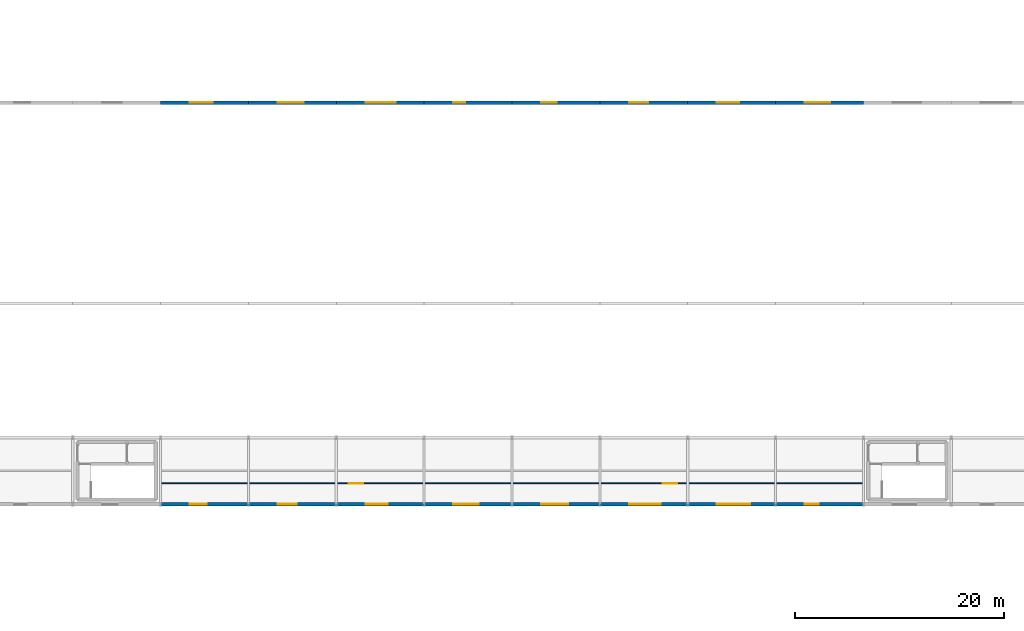
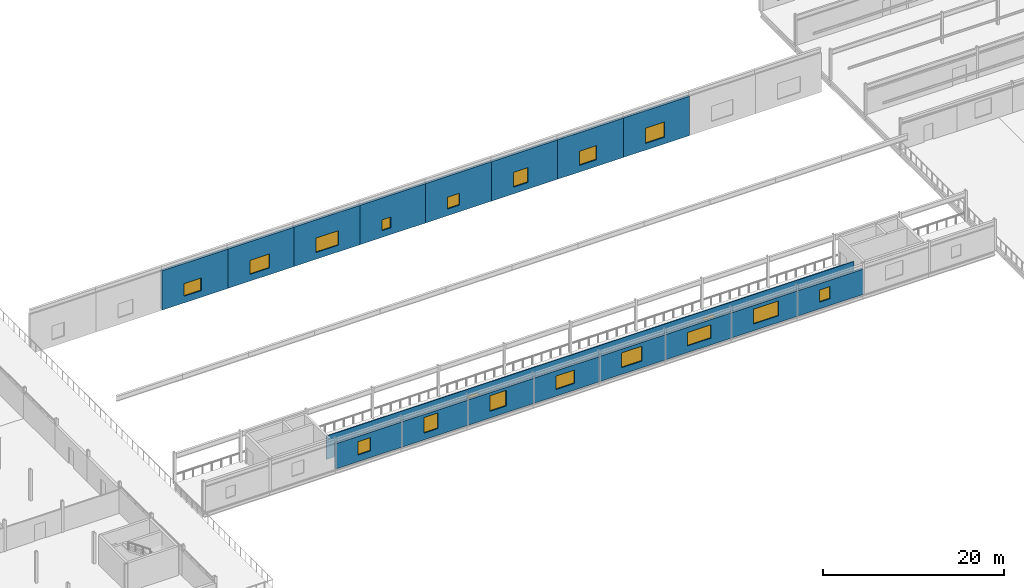
# One storey, part 32 of 39: 17 walls, 16 windows, 2 doors, 18 openings.
"""IFC4 building model written with IfcOpenShell, lengths in metres."""

from ifc_helpers import new_model, si_unit, direction, frame, frame_2d, origin, place, context, subcontext, project, spatial, rectangle, extrude, material, layer, layer_set, type_object, element, fill, save


model = new_model("IFC4")

# Units and contexts
model_context = context("Model", 3, precision=1e-05, world=origin(), true_north=direction((0.0, 1.0)))
body_context = subcontext(model_context, "Body", "Model", "MODEL_VIEW")
ifc_project = project(units=[si_unit("LENGTHUNIT", "METRE"), si_unit("AREAUNIT", "SQUARE_METRE"), si_unit("VOLUMEUNIT", "CUBIC_METRE"), si_unit("PLANEANGLEUNIT", "RADIAN"), si_unit("MASSUNIT", "GRAM", prefix="KILO")], contexts=[model_context])

# Site, building, storey
site_placement = place(None, origin())
site = spatial("IfcSite", under=ifc_project, at=site_placement, CompositionType="ELEMENT")
building_placement = place(site_placement, origin())
building = spatial("IfcBuilding", under=site, at=building_placement, Name="Kazenagashi Tramway Depot", CompositionType="ELEMENT")
storey_placement = place(building_placement, frame((0.0, 0.0, 11.1)))
storey = spatial("IfcBuildingStorey", under=building, at=storey_placement, Name="L03", CompositionType="ELEMENT", Elevation=11.1)

# Wall, opening, window
ifc_material_1 = material(Name="Clay Brick Masonry JIS R 1250 Class 1 (20 MPa)", Category="masonry")
ifc_layer_1 = layer(ifc_material_1, 0.32)
ifc_layer_set_1 = layer_set([ifc_layer_1], Name="Clay Brick Masonry JIS R 1250 Class 1 (20 MPa)")
wall_type_1 = type_object("IfcWallType", Name="W-BK3", PredefinedType="SOLIDWALL", material=ifc_layer_set_1)
wall_1_placement = place(storey_placement, frame((61.6, 16.5, 0.0), z_axis=(0.0, 0.0, 1.0), x_axis=(1.0, 0.0, 0.0)))
wall_1 = element("IfcWall", 1, at=wall_1_placement, inside=storey, type_object=wall_type_1, Name="Exterior Brick Wall W-BK3 EWALL-0082", PredefinedType="SOLIDWALL", context=body_context, shape_type="SweptSolid", body=[
    extrude(rectangle(XDim=8.4, YDim=0.32, at=frame_2d((4.2, 0.0))), origin(), (0.0, 0.0, 1.0), 3.4),
])
opening_1_placement = place(wall_1_placement, frame((2.8, 0.0, 0.9)))
opening_1 = element("IfcOpeningElement", 2, at=opening_1_placement, cuts=wall_1, Name="Opening WN-04", PredefinedType="OPENING", context=body_context, shape_type="SweptSolid", body=[
    extrude(rectangle(XDim=1.6, YDim=1.8, at=frame_2d((0.8, 0.9))), frame((0.0, 0.17, 0.0), z_axis=(0.0, -1.0, 0.0), x_axis=(1.0, 0.0, 0.0)), (0.0, 0.0, 1.0), 0.34),
])
ifc_material_2 = material(Name="Anodised Aluminium and Tempered Low-E Glass", Category="aluminium")
window_type_1 = type_object("IfcWindowType", Name="WN-04", PartitioningType="SINGLE_PANEL", PredefinedType="WINDOW", material=ifc_material_2)
window_1_placement = place(opening_1_placement, origin())
window_1 = element("IfcWindow", 3, at=window_1_placement, inside=storey, type_object=window_type_1, Name="Window WN-04 WIN-0052", OverallHeight=1.8, OverallWidth=1.6, PartitioningType="SINGLE_PANEL", PredefinedType="WINDOW", context=body_context, shape_type="SweptSolid", body=[
    extrude(rectangle(XDim=1.6, YDim=1.8, at=frame_2d((0.8, 0.9))), frame((0.0, 0.03, 0.0), z_axis=(0.0, -1.0, 0.0), x_axis=(1.0, 0.0, 0.0)), (0.0, 0.0, 1.0), 0.06),
])
fill(opening_1, window_1)

wall_2_placement = place(storey_placement, frame((70.0, 16.5, 0.0), z_axis=(0.0, 0.0, 1.0), x_axis=(1.0, 0.0, 0.0)))
wall_2 = element("IfcWall", 4, at=wall_2_placement, inside=storey, type_object=wall_type_1, Name="Exterior Brick Wall W-BK3 EWALL-0084", PredefinedType="SOLIDWALL", context=body_context, shape_type="SweptSolid", body=[
    extrude(rectangle(XDim=8.4, YDim=0.32, at=frame_2d((4.2, 0.0))), origin(), (0.0, 0.0, 1.0), 3.4),
])
opening_2_placement = place(wall_2_placement, frame((2.8, 0.0, 0.9)))
opening_2 = element("IfcOpeningElement", 5, at=opening_2_placement, cuts=wall_2, Name="Opening WN-06", PredefinedType="OPENING", context=body_context, shape_type="SweptSolid", body=[
    extrude(rectangle(XDim=1.8, YDim=2.1, at=frame_2d((0.9, 1.05))), frame((0.0, 0.17, 0.0), z_axis=(0.0, -1.0, 0.0), x_axis=(1.0, 0.0, 0.0)), (0.0, 0.0, 1.0), 0.34),
])
window_type_2 = type_object("IfcWindowType", Name="WN-06", PartitioningType="SINGLE_PANEL", PredefinedType="WINDOW", material=ifc_material_2)
window_2_placement = place(opening_2_placement, origin())
window_2 = element("IfcWindow", 6, at=window_2_placement, inside=storey, type_object=window_type_2, Name="Window WN-06 WIN-0054", OverallHeight=2.1, OverallWidth=1.8, PartitioningType="SINGLE_PANEL", PredefinedType="WINDOW", context=body_context, shape_type="SweptSolid", body=[
    extrude(rectangle(XDim=1.8, YDim=2.1, at=frame_2d((0.9, 1.05))), frame((0.0, 0.03, 0.0), z_axis=(0.0, -1.0, 0.0), x_axis=(1.0, 0.0, 0.0)), (0.0, 0.0, 1.0), 0.06),
])
fill(opening_2, window_2)

wall_3_placement = place(storey_placement, frame((78.4, 16.5, 0.0), z_axis=(0.0, 0.0, 1.0), x_axis=(1.0, 0.0, 0.0)))
wall_3 = element("IfcWall", 7, at=wall_3_placement, inside=storey, type_object=wall_type_1, Name="Exterior Brick Wall W-BK3 EWALL-0086", PredefinedType="SOLIDWALL", context=body_context, shape_type="SweptSolid", body=[
    extrude(rectangle(XDim=8.4, YDim=0.32, at=frame_2d((4.2, 0.0))), origin(), (0.0, 0.0, 1.0), 3.4),
])
opening_3_placement = place(wall_3_placement, frame((2.8, 0.0, 0.9)))
opening_3 = element("IfcOpeningElement", 8, at=opening_3_placement, cuts=wall_3, Name="Opening WN-08", PredefinedType="OPENING", context=body_context, shape_type="SweptSolid", body=[
    extrude(rectangle(XDim=2.1, YDim=2.1, at=frame_2d((1.05, 1.05))), frame((0.0, 0.17, 0.0), z_axis=(0.0, -1.0, 0.0), x_axis=(1.0, 0.0, 0.0)), (0.0, 0.0, 1.0), 0.34),
])
window_type_3 = type_object("IfcWindowType", Name="WN-08", PartitioningType="SINGLE_PANEL", PredefinedType="WINDOW", material=ifc_material_2)
window_3_placement = place(opening_3_placement, origin())
window_3 = element("IfcWindow", 9, at=window_3_placement, inside=storey, type_object=window_type_3, Name="Window WN-08 WIN-0056", OverallHeight=2.1, OverallWidth=2.1, PartitioningType="SINGLE_PANEL", PredefinedType="WINDOW", context=body_context, shape_type="SweptSolid", body=[
    extrude(rectangle(XDim=2.1, YDim=2.1, at=frame_2d((1.05, 1.05))), frame((0.0, 0.03, 0.0), z_axis=(0.0, -1.0, 0.0), x_axis=(1.0, 0.0, 0.0)), (0.0, 0.0, 1.0), 0.06),
])
fill(opening_3, window_3)

wall_4_placement = place(storey_placement, frame((86.8, 16.5, 0.0), z_axis=(0.0, 0.0, 1.0), x_axis=(1.0, 0.0, 0.0)))
wall_4 = element("IfcWall", 10, at=wall_4_placement, inside=storey, type_object=wall_type_1, Name="Exterior Brick Wall W-BK3 EWALL-0088", PredefinedType="SOLIDWALL", context=body_context, shape_type="SweptSolid", body=[
    extrude(rectangle(XDim=8.4, YDim=0.32, at=frame_2d((4.2, 0.0))), origin(), (0.0, 0.0, 1.0), 3.4),
])
opening_4_placement = place(wall_4_placement, frame((2.8, 0.0, 0.9)))
opening_4 = element("IfcOpeningElement", 11, at=opening_4_placement, cuts=wall_4, Name="Opening WN-09", PredefinedType="OPENING", context=body_context, shape_type="SweptSolid", body=[
    extrude(rectangle(XDim=2.4, YDim=1.8, at=frame_2d((1.2, 0.9))), frame((0.0, 0.17, 0.0), z_axis=(0.0, -1.0, 0.0), x_axis=(1.0, 0.0, 0.0)), (0.0, 0.0, 1.0), 0.34),
])
window_type_4 = type_object("IfcWindowType", Name="WN-09", PartitioningType="SINGLE_PANEL", PredefinedType="WINDOW", material=ifc_material_2)
window_4_placement = place(opening_4_placement, origin())
window_4 = element("IfcWindow", 12, at=window_4_placement, inside=storey, type_object=window_type_4, Name="Window WN-09 WIN-0057", OverallHeight=1.8, OverallWidth=2.4, PartitioningType="SINGLE_PANEL", PredefinedType="WINDOW", context=body_context, shape_type="SweptSolid", body=[
    extrude(rectangle(XDim=2.4, YDim=1.8, at=frame_2d((1.2, 0.9))), frame((0.0, 0.03, 0.0), z_axis=(0.0, -1.0, 0.0), x_axis=(1.0, 0.0, 0.0)), (0.0, 0.0, 1.0), 0.06),
])
fill(opening_4, window_4)

wall_5_placement = place(storey_placement, frame((95.2, 16.5, 0.0), z_axis=(0.0, 0.0, 1.0), x_axis=(1.0, 0.0, 0.0)))
wall_5 = element("IfcWall", 13, at=wall_5_placement, inside=storey, type_object=wall_type_1, Name="Exterior Brick Wall W-BK3 EWALL-0090", PredefinedType="SOLIDWALL", context=body_context, shape_type="SweptSolid", body=[
    extrude(rectangle(XDim=8.4, YDim=0.32, at=frame_2d((4.2, 0.0))), origin(), (0.0, 0.0, 1.0), 3.4),
])
opening_5_placement = place(wall_5_placement, frame((2.8, 0.0, 0.9)))
opening_5 = element("IfcOpeningElement", 14, at=opening_5_placement, cuts=wall_5, Name="Opening WN-11", PredefinedType="OPENING", context=body_context, shape_type="SweptSolid", body=[
    extrude(rectangle(XDim=2.6, YDim=2.0, at=frame_2d((1.3, 1.0))), frame((0.0, 0.17, 0.0), z_axis=(0.0, -1.0, 0.0), x_axis=(1.0, 0.0, 0.0)), (0.0, 0.0, 1.0), 0.34),
])
window_type_5 = type_object("IfcWindowType", Name="WN-11", PartitioningType="SINGLE_PANEL", PredefinedType="WINDOW", material=ifc_material_2)
window_5_placement = place(opening_5_placement, origin())
window_5 = element("IfcWindow", 15, at=window_5_placement, inside=storey, type_object=window_type_5, Name="Window WN-11 WIN-0059", OverallHeight=2.0, OverallWidth=2.6, PartitioningType="SINGLE_PANEL", PredefinedType="WINDOW", context=body_context, shape_type="SweptSolid", body=[
    extrude(rectangle(XDim=2.6, YDim=2.0, at=frame_2d((1.3, 1.0))), frame((0.0, 0.03, 0.0), z_axis=(0.0, -1.0, 0.0), x_axis=(1.0, 0.0, 0.0)), (0.0, 0.0, 1.0), 0.06),
])
fill(opening_5, window_5)

wall_6_placement = place(storey_placement, frame((103.6, 16.5, 0.0), z_axis=(0.0, 0.0, 1.0), x_axis=(1.0, 0.0, 0.0)))
wall_6 = element("IfcWall", 16, at=wall_6_placement, inside=storey, type_object=wall_type_1, Name="Exterior Brick Wall W-BK3 EWALL-0092", PredefinedType="SOLIDWALL", context=body_context, shape_type="SweptSolid", body=[
    extrude(rectangle(XDim=8.4, YDim=0.32, at=frame_2d((4.2, 0.0))), origin(), (0.0, 0.0, 1.0), 3.4),
])
opening_6_placement = place(wall_6_placement, frame((2.8, 0.0, 0.9)))
opening_6 = element("IfcOpeningElement", 17, at=opening_6_placement, cuts=wall_6, Name="Opening WN-13", PredefinedType="OPENING", context=body_context, shape_type="SweptSolid", body=[
    extrude(rectangle(XDim=3.0, YDim=1.8, at=frame_2d((1.5, 0.9))), frame((0.0, 0.17, 0.0), z_axis=(0.0, -1.0, 0.0), x_axis=(1.0, 0.0, 0.0)), (0.0, 0.0, 1.0), 0.34),
])
window_type_6 = type_object("IfcWindowType", Name="WN-13", PartitioningType="SINGLE_PANEL", PredefinedType="WINDOW", material=ifc_material_2)
window_6_placement = place(opening_6_placement, origin())
window_6 = element("IfcWindow", 18, at=window_6_placement, inside=storey, type_object=window_type_6, Name="Window WN-13 WIN-0061", OverallHeight=1.8, OverallWidth=3.0, PartitioningType="SINGLE_PANEL", PredefinedType="WINDOW", context=body_context, shape_type="SweptSolid", body=[
    extrude(rectangle(XDim=3.0, YDim=1.8, at=frame_2d((1.5, 0.9))), frame((0.0, 0.03, 0.0), z_axis=(0.0, -1.0, 0.0), x_axis=(1.0, 0.0, 0.0)), (0.0, 0.0, 1.0), 0.06),
])
fill(opening_6, window_6)

wall_7_placement = place(storey_placement, frame((112.0, 16.5, 0.0), z_axis=(0.0, 0.0, 1.0), x_axis=(1.0, 0.0, 0.0)))
wall_7 = element("IfcWall", 19, at=wall_7_placement, inside=storey, type_object=wall_type_1, Name="Exterior Brick Wall W-BK3 EWALL-0094", PredefinedType="SOLIDWALL", context=body_context, shape_type="SweptSolid", body=[
    extrude(rectangle(XDim=8.4, YDim=0.32, at=frame_2d((4.2, 0.0))), origin(), (0.0, 0.0, 1.0), 3.4),
])
opening_7_placement = place(wall_7_placement, frame((2.8, 0.0, 0.9)))
opening_7 = element("IfcOpeningElement", 20, at=opening_7_placement, cuts=wall_7, Name="Opening WN-15", PredefinedType="OPENING", context=body_context, shape_type="SweptSolid", body=[
    extrude(rectangle(XDim=3.2, YDim=2.0, at=frame_2d((1.6, 1.0))), frame((0.0, 0.17, 0.0), z_axis=(0.0, -1.0, 0.0), x_axis=(1.0, 0.0, 0.0)), (0.0, 0.0, 1.0), 0.34),
])
window_type_7 = type_object("IfcWindowType", Name="WN-15", PartitioningType="SINGLE_PANEL", PredefinedType="WINDOW", material=ifc_material_2)
window_7_placement = place(opening_7_placement, origin())
window_7 = element("IfcWindow", 21, at=window_7_placement, inside=storey, type_object=window_type_7, Name="Window WN-15 WIN-0063", OverallHeight=2.0, OverallWidth=3.2, PartitioningType="SINGLE_PANEL", PredefinedType="WINDOW", context=body_context, shape_type="SweptSolid", body=[
    extrude(rectangle(XDim=3.2, YDim=2.0, at=frame_2d((1.6, 1.0))), frame((0.0, 0.03, 0.0), z_axis=(0.0, -1.0, 0.0), x_axis=(1.0, 0.0, 0.0)), (0.0, 0.0, 1.0), 0.06),
])
fill(opening_7, window_7)

wall_8_placement = place(storey_placement, frame((120.4, 16.5, 0.0), z_axis=(0.0, 0.0, 1.0), x_axis=(1.0, 0.0, 0.0)))
wall_8 = element("IfcWall", 22, at=wall_8_placement, inside=storey, type_object=wall_type_1, Name="Exterior Brick Wall W-BK3 EWALL-0096", PredefinedType="SOLIDWALL", context=body_context, shape_type="SweptSolid", body=[
    extrude(rectangle(XDim=8.4, YDim=0.32, at=frame_2d((4.2, 0.0))), origin(), (0.0, 0.0, 1.0), 3.4),
])
opening_8_placement = place(wall_8_placement, frame((2.8, 0.0, 0.9)))
opening_8 = element("IfcOpeningElement", 23, at=opening_8_placement, cuts=wall_8, Name="Opening WN-17", PredefinedType="OPENING", context=body_context, shape_type="SweptSolid", body=[
    extrude(rectangle(XDim=1.35, YDim=1.65, at=frame_2d((0.675, 0.825))), frame((0.0, 0.17, 0.0), z_axis=(0.0, -1.0, 0.0), x_axis=(1.0, 0.0, 0.0)), (0.0, 0.0, 1.0), 0.34),
])
window_type_8 = type_object("IfcWindowType", Name="WN-17", PartitioningType="SINGLE_PANEL", PredefinedType="WINDOW", material=ifc_material_2)
window_8_placement = place(opening_8_placement, origin())
window_8 = element("IfcWindow", 24, at=window_8_placement, inside=storey, type_object=window_type_8, Name="Window WN-17 WIN-0065", OverallHeight=1.65, OverallWidth=1.35, PartitioningType="SINGLE_PANEL", PredefinedType="WINDOW", context=body_context, shape_type="SweptSolid", body=[
    extrude(rectangle(XDim=1.35, YDim=1.65, at=frame_2d((0.675, 0.825))), frame((0.0, 0.03, 0.0), z_axis=(0.0, -1.0, 0.0), x_axis=(1.0, 0.0, 0.0)), (0.0, 0.0, 1.0), 0.06),
])
fill(opening_8, window_8)

wall_9_placement = place(storey_placement, frame((61.6, 54.9, -1.9), z_axis=(0.0, 0.0, 1.0), x_axis=(1.0, 0.0, 0.0)))
wall_9 = element("IfcWall", 25, at=wall_9_placement, inside=storey, type_object=wall_type_1, Name="Exterior Brick Wall W-BK3 EWALL-0106", PredefinedType="SOLIDWALL", context=body_context, shape_type="SweptSolid", body=[
    extrude(rectangle(XDim=8.4, YDim=0.32, at=frame_2d((4.2, 0.0))), origin(), (0.0, 0.0, 1.0), 5.3),
])
opening_9_placement = place(wall_9_placement, frame((2.8, 0.0, 0.9)))
opening_9 = element("IfcOpeningElement", 26, at=opening_9_placement, cuts=wall_9, Name="Opening WN-27", PredefinedType="OPENING", context=body_context, shape_type="SweptSolid", body=[
    extrude(rectangle(XDim=2.2, YDim=1.7, at=frame_2d((1.1, 0.85))), frame((0.0, 0.17, 0.0), z_axis=(0.0, -1.0, 0.0), x_axis=(1.0, 0.0, 0.0)), (0.0, 0.0, 1.0), 0.34),
])
window_type_9 = type_object("IfcWindowType", Name="WN-27", PartitioningType="SINGLE_PANEL", PredefinedType="WINDOW", material=ifc_material_2)
window_9_placement = place(opening_9_placement, origin())
window_9 = element("IfcWindow", 27, at=window_9_placement, inside=storey, type_object=window_type_9, Name="Window WN-27 WIN-0075", OverallHeight=1.7, OverallWidth=2.2, PartitioningType="SINGLE_PANEL", PredefinedType="WINDOW", context=body_context, shape_type="SweptSolid", body=[
    extrude(rectangle(XDim=2.2, YDim=1.7, at=frame_2d((1.1, 0.85))), frame((0.0, 0.03, 0.0), z_axis=(0.0, -1.0, 0.0), x_axis=(1.0, 0.0, 0.0)), (0.0, 0.0, 1.0), 0.06),
])
fill(opening_9, window_9)

wall_10_placement = place(storey_placement, frame((70.0, 54.9, -1.9), z_axis=(0.0, 0.0, 1.0), x_axis=(1.0, 0.0, 0.0)))
wall_10 = element("IfcWall", 28, at=wall_10_placement, inside=storey, type_object=wall_type_1, Name="Exterior Brick Wall W-BK3 EWALL-0108", PredefinedType="SOLIDWALL", context=body_context, shape_type="SweptSolid", body=[
    extrude(rectangle(XDim=8.4, YDim=0.32, at=frame_2d((4.2, 0.0))), origin(), (0.0, 0.0, 1.0), 5.3),
])
opening_10_placement = place(wall_10_placement, frame((2.8, 0.0, 0.9)))
opening_10 = element("IfcOpeningElement", 29, at=opening_10_placement, cuts=wall_10, Name="Opening WN-29", PredefinedType="OPENING", context=body_context, shape_type="SweptSolid", body=[
    extrude(rectangle(XDim=2.5, YDim=1.9, at=frame_2d((1.25, 0.95))), frame((0.0, 0.17, 0.0), z_axis=(0.0, -1.0, 0.0), x_axis=(1.0, 0.0, 0.0)), (0.0, 0.0, 1.0), 0.34),
])
window_type_10 = type_object("IfcWindowType", Name="WN-29", PartitioningType="SINGLE_PANEL", PredefinedType="WINDOW", material=ifc_material_2)
window_10_placement = place(opening_10_placement, origin())
window_10 = element("IfcWindow", 30, at=window_10_placement, inside=storey, type_object=window_type_10, Name="Window WN-29 WIN-0077", OverallHeight=1.9, OverallWidth=2.5, PartitioningType="SINGLE_PANEL", PredefinedType="WINDOW", context=body_context, shape_type="SweptSolid", body=[
    extrude(rectangle(XDim=2.5, YDim=1.9, at=frame_2d((1.25, 0.95))), frame((0.0, 0.03, 0.0), z_axis=(0.0, -1.0, 0.0), x_axis=(1.0, 0.0, 0.0)), (0.0, 0.0, 1.0), 0.06),
])
fill(opening_10, window_10)

wall_11_placement = place(storey_placement, frame((78.4, 54.9, -1.9), z_axis=(0.0, 0.0, 1.0), x_axis=(1.0, 0.0, 0.0)))
wall_11 = element("IfcWall", 31, at=wall_11_placement, inside=storey, type_object=wall_type_1, Name="Exterior Brick Wall W-BK3 EWALL-0110", PredefinedType="SOLIDWALL", context=body_context, shape_type="SweptSolid", body=[
    extrude(rectangle(XDim=8.4, YDim=0.32, at=frame_2d((4.2, 0.0))), origin(), (0.0, 0.0, 1.0), 5.3),
])
opening_11_placement = place(wall_11_placement, frame((2.8, 0.0, 0.9)))
opening_11 = element("IfcOpeningElement", 32, at=opening_11_placement, cuts=wall_11, Name="Opening WN-31", PredefinedType="OPENING", context=body_context, shape_type="SweptSolid", body=[
    extrude(rectangle(XDim=2.9, YDim=1.95, at=frame_2d((1.45, 0.975))), frame((0.0, 0.17, 0.0), z_axis=(0.0, -1.0, 0.0), x_axis=(1.0, 0.0, 0.0)), (0.0, 0.0, 1.0), 0.34),
])
window_type_11 = type_object("IfcWindowType", Name="WN-31", PartitioningType="SINGLE_PANEL", PredefinedType="WINDOW", material=ifc_material_2)
window_11_placement = place(opening_11_placement, origin())
window_11 = element("IfcWindow", 33, at=window_11_placement, inside=storey, type_object=window_type_11, Name="Window WN-31 WIN-0079", OverallHeight=1.95, OverallWidth=2.9, PartitioningType="SINGLE_PANEL", PredefinedType="WINDOW", context=body_context, shape_type="SweptSolid", body=[
    extrude(rectangle(XDim=2.9, YDim=1.95, at=frame_2d((1.45, 0.975))), frame((0.0, 0.03, 0.0), z_axis=(0.0, -1.0, 0.0), x_axis=(1.0, 0.0, 0.0)), (0.0, 0.0, 1.0), 0.06),
])
fill(opening_11, window_11)

wall_12_placement = place(storey_placement, frame((86.8, 54.9, -1.9), z_axis=(0.0, 0.0, 1.0), x_axis=(1.0, 0.0, 0.0)))
wall_12 = element("IfcWall", 34, at=wall_12_placement, inside=storey, type_object=wall_type_1, Name="Exterior Brick Wall W-BK3 EWALL-0112", PredefinedType="SOLIDWALL", context=body_context, shape_type="SweptSolid", body=[
    extrude(rectangle(XDim=8.4, YDim=0.32, at=frame_2d((4.2, 0.0))), origin(), (0.0, 0.0, 1.0), 5.3),
])
opening_12_placement = place(wall_12_placement, frame((2.8, 0.0, 0.9)))
opening_12 = element("IfcOpeningElement", 35, at=opening_12_placement, cuts=wall_12, Name="Opening WN-33", PredefinedType="OPENING", context=body_context, shape_type="SweptSolid", body=[
    extrude(rectangle(XDim=1.15, YDim=1.45, at=frame_2d((0.575, 0.725))), frame((0.0, 0.17, 0.0), z_axis=(0.0, -1.0, 0.0), x_axis=(1.0, 0.0, 0.0)), (0.0, 0.0, 1.0), 0.34),
])
window_type_12 = type_object("IfcWindowType", Name="WN-33", PartitioningType="SINGLE_PANEL", PredefinedType="WINDOW", material=ifc_material_2)
window_12_placement = place(opening_12_placement, origin())
window_12 = element("IfcWindow", 36, at=window_12_placement, inside=storey, type_object=window_type_12, Name="Window WN-33 WIN-0081", OverallHeight=1.45, OverallWidth=1.15, PartitioningType="SINGLE_PANEL", PredefinedType="WINDOW", context=body_context, shape_type="SweptSolid", body=[
    extrude(rectangle(XDim=1.15, YDim=1.45, at=frame_2d((0.575, 0.725))), frame((0.0, 0.03, 0.0), z_axis=(0.0, -1.0, 0.0), x_axis=(1.0, 0.0, 0.0)), (0.0, 0.0, 1.0), 0.06),
])
fill(opening_12, window_12)

wall_13_placement = place(storey_placement, frame((95.2, 54.9, -1.9), z_axis=(0.0, 0.0, 1.0), x_axis=(1.0, 0.0, 0.0)))
wall_13 = element("IfcWall", 37, at=wall_13_placement, inside=storey, type_object=wall_type_1, Name="Exterior Brick Wall W-BK3 EWALL-0114", PredefinedType="SOLIDWALL", context=body_context, shape_type="SweptSolid", body=[
    extrude(rectangle(XDim=8.4, YDim=0.32, at=frame_2d((4.2, 0.0))), origin(), (0.0, 0.0, 1.0), 5.3),
])
opening_13_placement = place(wall_13_placement, frame((2.8, 0.0, 0.9)))
opening_13 = element("IfcOpeningElement", 38, at=opening_13_placement, cuts=wall_13, Name="Opening WN-35", PredefinedType="OPENING", context=body_context, shape_type="SweptSolid", body=[
    extrude(rectangle(XDim=1.5, YDim=1.6, at=frame_2d((0.75, 0.8))), frame((0.0, 0.17, 0.0), z_axis=(0.0, -1.0, 0.0), x_axis=(1.0, 0.0, 0.0)), (0.0, 0.0, 1.0), 0.34),
])
window_type_13 = type_object("IfcWindowType", Name="WN-35", PartitioningType="SINGLE_PANEL", PredefinedType="WINDOW", material=ifc_material_2)
window_13_placement = place(opening_13_placement, origin())
window_13 = element("IfcWindow", 39, at=window_13_placement, inside=storey, type_object=window_type_13, Name="Window WN-35 WIN-0083", OverallHeight=1.6, OverallWidth=1.5, PartitioningType="SINGLE_PANEL", PredefinedType="WINDOW", context=body_context, shape_type="SweptSolid", body=[
    extrude(rectangle(XDim=1.5, YDim=1.6, at=frame_2d((0.75, 0.8))), frame((0.0, 0.03, 0.0), z_axis=(0.0, -1.0, 0.0), x_axis=(1.0, 0.0, 0.0)), (0.0, 0.0, 1.0), 0.06),
])
fill(opening_13, window_13)

wall_14_placement = place(storey_placement, frame((103.6, 54.9, -1.9), z_axis=(0.0, 0.0, 1.0), x_axis=(1.0, 0.0, 0.0)))
wall_14 = element("IfcWall", 40, at=wall_14_placement, inside=storey, type_object=wall_type_1, Name="Exterior Brick Wall W-BK3 EWALL-0116", PredefinedType="SOLIDWALL", context=body_context, shape_type="SweptSolid", body=[
    extrude(rectangle(XDim=8.4, YDim=0.32, at=frame_2d((4.2, 0.0))), origin(), (0.0, 0.0, 1.0), 5.3),
])
opening_14_placement = place(wall_14_placement, frame((2.8, 0.0, 0.9)))
opening_14 = element("IfcOpeningElement", 41, at=opening_14_placement, cuts=wall_14, Name="Opening WN-37", PredefinedType="OPENING", context=body_context, shape_type="SweptSolid", body=[
    extrude(rectangle(XDim=1.85, YDim=2.0, at=frame_2d((0.925, 1.0))), frame((0.0, 0.17, 0.0), z_axis=(0.0, -1.0, 0.0), x_axis=(1.0, 0.0, 0.0)), (0.0, 0.0, 1.0), 0.34),
])
window_type_14 = type_object("IfcWindowType", Name="WN-37", PartitioningType="SINGLE_PANEL", PredefinedType="WINDOW", material=ifc_material_2)
window_14_placement = place(opening_14_placement, origin())
window_14 = element("IfcWindow", 42, at=window_14_placement, inside=storey, type_object=window_type_14, Name="Window WN-37 WIN-0085", OverallHeight=2.0, OverallWidth=1.85, PartitioningType="SINGLE_PANEL", PredefinedType="WINDOW", context=body_context, shape_type="SweptSolid", body=[
    extrude(rectangle(XDim=1.85, YDim=2.0, at=frame_2d((0.925, 1.0))), frame((0.0, 0.03, 0.0), z_axis=(0.0, -1.0, 0.0), x_axis=(1.0, 0.0, 0.0)), (0.0, 0.0, 1.0), 0.06),
])
fill(opening_14, window_14)

wall_15_placement = place(storey_placement, frame((112.0, 54.9, -1.9), z_axis=(0.0, 0.0, 1.0), x_axis=(1.0, 0.0, 0.0)))
wall_15 = element("IfcWall", 43, at=wall_15_placement, inside=storey, type_object=wall_type_1, Name="Exterior Brick Wall W-BK3 EWALL-0118", PredefinedType="SOLIDWALL", context=body_context, shape_type="SweptSolid", body=[
    extrude(rectangle(XDim=8.4, YDim=0.32, at=frame_2d((4.2, 0.0))), origin(), (0.0, 0.0, 1.0), 5.3),
])
opening_15_placement = place(wall_15_placement, frame((2.8, 0.0, 0.9)))
opening_15 = element("IfcOpeningElement", 44, at=opening_15_placement, cuts=wall_15, Name="Opening WN-39", PredefinedType="OPENING", context=body_context, shape_type="SweptSolid", body=[
    extrude(rectangle(XDim=2.15, YDim=1.9, at=frame_2d((1.075, 0.95))), frame((0.0, 0.17, 0.0), z_axis=(0.0, -1.0, 0.0), x_axis=(1.0, 0.0, 0.0)), (0.0, 0.0, 1.0), 0.34),
])
window_type_15 = type_object("IfcWindowType", Name="WN-39", PartitioningType="SINGLE_PANEL", PredefinedType="WINDOW", material=ifc_material_2)
window_15_placement = place(opening_15_placement, origin())
window_15 = element("IfcWindow", 45, at=window_15_placement, inside=storey, type_object=window_type_15, Name="Window WN-39 WIN-0087", OverallHeight=1.9, OverallWidth=2.15, PartitioningType="SINGLE_PANEL", PredefinedType="WINDOW", context=body_context, shape_type="SweptSolid", body=[
    extrude(rectangle(XDim=2.15, YDim=1.9, at=frame_2d((1.075, 0.95))), frame((0.0, 0.03, 0.0), z_axis=(0.0, -1.0, 0.0), x_axis=(1.0, 0.0, 0.0)), (0.0, 0.0, 1.0), 0.06),
])
fill(opening_15, window_15)

wall_16_placement = place(storey_placement, frame((120.4, 54.9, -1.9), z_axis=(0.0, 0.0, 1.0), x_axis=(1.0, 0.0, 0.0)))
wall_16 = element("IfcWall", 46, at=wall_16_placement, inside=storey, type_object=wall_type_1, Name="Exterior Brick Wall W-BK3 EWALL-0120", PredefinedType="SOLIDWALL", context=body_context, shape_type="SweptSolid", body=[
    extrude(rectangle(XDim=8.4, YDim=0.32, at=frame_2d((4.2, 0.0))), origin(), (0.0, 0.0, 1.0), 5.3),
])
opening_16_placement = place(wall_16_placement, frame((2.8, 0.0, 0.9)))
opening_16 = element("IfcOpeningElement", 47, at=opening_16_placement, cuts=wall_16, Name="Opening WN-41", PredefinedType="OPENING", context=body_context, shape_type="SweptSolid", body=[
    extrude(rectangle(XDim=2.45, YDim=2.05, at=frame_2d((1.225, 1.025))), frame((0.0, 0.17, 0.0), z_axis=(0.0, -1.0, 0.0), x_axis=(1.0, 0.0, 0.0)), (0.0, 0.0, 1.0), 0.34),
])
window_type_16 = type_object("IfcWindowType", Name="WN-41", PartitioningType="SINGLE_PANEL", PredefinedType="WINDOW", material=ifc_material_2)
window_16_placement = place(opening_16_placement, origin())
window_16 = element("IfcWindow", 48, at=window_16_placement, inside=storey, type_object=window_type_16, Name="Window WN-41 WIN-0089", OverallHeight=2.05, OverallWidth=2.45, PartitioningType="SINGLE_PANEL", PredefinedType="WINDOW", context=body_context, shape_type="SweptSolid", body=[
    extrude(rectangle(XDim=2.45, YDim=2.05, at=frame_2d((1.225, 1.025))), frame((0.0, 0.03, 0.0), z_axis=(0.0, -1.0, 0.0), x_axis=(1.0, 0.0, 0.0)), (0.0, 0.0, 1.0), 0.06),
])
fill(opening_16, window_16)

# Wall, openings, doors
ifc_material_3 = material(Name="Gypsum Plasterboard Partition", Category="gypsum")
ifc_layer_2 = layer(ifc_material_3, 0.1)
ifc_layer_set_2 = layer_set([ifc_layer_2], Name="Gypsum Plasterboard Partition")
wall_type_2 = type_object("IfcWallType", Name="W-PT3", PredefinedType="PARTITIONING", material=ifc_layer_set_2)
wall_17_placement = place(storey_placement, frame((61.6, 18.5, 0.0), z_axis=(0.0, 0.0, 1.0), x_axis=(1.0, 0.0, 0.0)))
wall_17 = element("IfcWall", 49, at=wall_17_placement, inside=storey, type_object=wall_type_2, Name="Interior Partition W-PT3 IWALL-0280", PredefinedType="PARTITIONING", context=body_context, shape_type="SweptSolid", body=[
    extrude(rectangle(XDim=67.2, YDim=0.1, at=frame_2d((33.6, 0.0))), origin(), (0.0, 0.0, 1.0), 3.15),
])
opening_17_placement = place(wall_17_placement, frame((18.0, 0.0, 0.0)))
opening_17 = element("IfcOpeningElement", 50, at=opening_17_placement, cuts=wall_17, Name="Opening D-190", PredefinedType="OPENING", context=body_context, shape_type="SweptSolid", body=[
    extrude(rectangle(XDim=1.4, YDim=2.2, at=frame_2d((0.7, 1.1))), frame((0.0, 0.06, 0.0), z_axis=(0.0, -1.0, 0.0), x_axis=(1.0, 0.0, 0.0)), (0.0, 0.0, 1.0), 0.12),
])
opening_18_placement = place(wall_17_placement, frame((48.0, 0.0, 0.0)))
opening_18 = element("IfcOpeningElement", 51, at=opening_18_placement, cuts=wall_17, Name="Opening D-191", PredefinedType="OPENING", context=body_context, shape_type="SweptSolid", body=[
    extrude(rectangle(XDim=1.4, YDim=2.2, at=frame_2d((0.7, 1.1))), frame((0.0, 0.06, 0.0), z_axis=(0.0, -1.0, 0.0), x_axis=(1.0, 0.0, 0.0)), (0.0, 0.0, 1.0), 0.12),
])
ifc_material_4 = material(Name="Powder-Coated Steel Door", Category="steel")
door_type = type_object("IfcDoorType", Name="DT-16", OperationType="NOTDEFINED", PredefinedType="DOOR", material=ifc_material_4)
door_1_placement = place(opening_17_placement, origin())
door_1 = element("IfcDoor", 52, at=door_1_placement, inside=storey, type_object=door_type, Name="Interior Door D-190", OperationType="DOUBLE_DOOR_SINGLE_SWING", OverallHeight=2.2, OverallWidth=1.4, PredefinedType="DOOR", context=body_context, shape_type="SweptSolid", body=[
    extrude(rectangle(XDim=1.4, YDim=2.2, at=frame_2d((0.7, 1.1))), frame((0.0, 0.025, 0.0), z_axis=(0.0, -1.0, 0.0), x_axis=(1.0, 0.0, 0.0)), (0.0, 0.0, 1.0), 0.05),
])
fill(opening_17, door_1)
door_2_placement = place(opening_18_placement, origin())
door_2 = element("IfcDoor", 53, at=door_2_placement, inside=storey, type_object=door_type, Name="Interior Door D-191", OperationType="DOUBLE_DOOR_SINGLE_SWING", OverallHeight=2.2, OverallWidth=1.4, PredefinedType="DOOR", context=body_context, shape_type="SweptSolid", body=[
    extrude(rectangle(XDim=1.4, YDim=2.2, at=frame_2d((0.7, 1.1))), frame((0.0, 0.025, 0.0), z_axis=(0.0, -1.0, 0.0), x_axis=(1.0, 0.0, 0.0)), (0.0, 0.0, 1.0), 0.05),
])
fill(opening_18, door_2)

save(model, "model.ifc")
